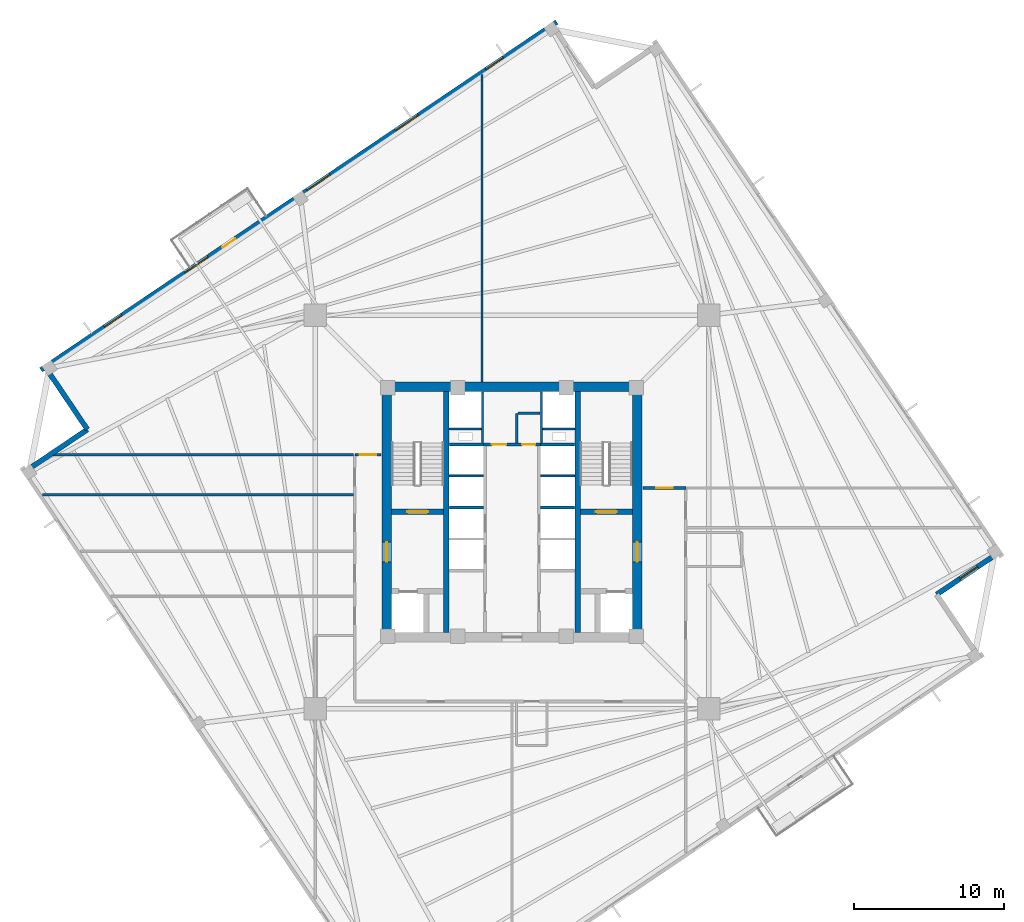
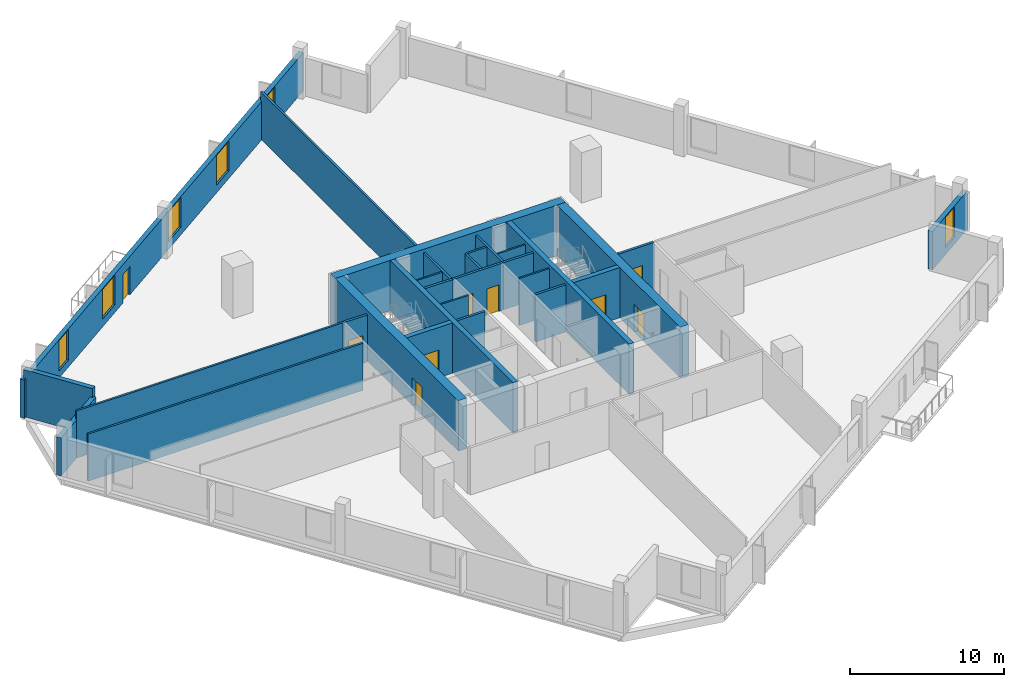
# One storey, part 4 of 8: 29 walls, 9 doors, 6 windows, 15 openings.
"""IFC4 building model written with IfcOpenShell, lengths in metres."""

from ifc_helpers import new_model, si_unit, direction, frame, frame_2d, origin, place, context, subcontext, project, spatial, rectangle, extrude, source, transform, mapped, material, layer, layer_set, type_object, element, fill, save


model = new_model("IFC4")

# Units and contexts
model_context = context("Model", 3, precision=1e-05, world=origin(), true_north=direction((0.0, 1.0)))
body_context = subcontext(model_context, "Body", "Model", "MODEL_VIEW")
ifc_project = project(units=[si_unit("LENGTHUNIT", "METRE"), si_unit("AREAUNIT", "SQUARE_METRE"), si_unit("VOLUMEUNIT", "CUBIC_METRE"), si_unit("PLANEANGLEUNIT", "RADIAN"), si_unit("MASSUNIT", "GRAM", prefix="KILO"), si_unit("THERMODYNAMICTEMPERATUREUNIT", "KELVIN")], contexts=[model_context])

# Site, building, storey
site_placement = place(None, origin())
site = spatial("IfcSite", under=ifc_project, at=site_placement, CompositionType="ELEMENT")
building_placement = place(site_placement, origin())
building = spatial("IfcBuilding", under=site, at=building_placement, Name="Kosmvard Interchange Tower", CompositionType="ELEMENT")
storey_placement = place(building_placement, frame((0.0, 0.0, 184.39990234375)))
storey = spatial("IfcBuildingStorey", under=building, at=storey_placement, Name="L44", CompositionType="ELEMENT", Elevation=184.39990234375)

# Walls
ifc_material_1 = material(Name="Acoustic gypsum partition system")
ifc_layer_1 = layer(ifc_material_1, 0.14990234375, Name="Acoustic gypsum partition system")
ifc_layer_set_1 = layer_set([ifc_layer_1], Name="Acoustic gypsum partition system")
wall_type_1 = type_object("IfcWallType", Name="Acoustic Suite & Meeting Partition 150", PredefinedType="PARTITIONING", material=ifc_layer_set_1)
wall_1_placement = place(storey_placement, frame((-2.0, 8.655029296875, 0.0), z_axis=(0.0, 0.0, 1.0), x_axis=(0.0, 1.0, 0.0)))
element("IfcWall", 1, at=wall_1_placement, inside=storey, type_object=wall_type_1, Name="L44 Room Partition 01.1", PredefinedType="PARTITIONING", context=body_context, shape_type="SweptSolid", body=[
    extrude(rectangle(XDim=20.4228515625, YDim=0.14990234375, at=frame_2d((10.21142578125, 0.0))), origin(), (0.0, 0.0, 1.0), 3.739990234375),
])
wall_2_placement = place(storey_placement, frame((-31.20263671875, 1.14990234375, 0.0), z_axis=(0.0, 0.0, 1.0), x_axis=(1.0, 0.0, 0.0)))
element("IfcWall", 2, at=wall_2_placement, inside=storey, type_object=wall_type_1, Name="L44 Room Partition 02.1", PredefinedType="PARTITIONING", context=body_context, shape_type="SweptSolid", body=[
    extrude(rectangle(XDim=20.65771484375, YDim=0.14990234375, at=frame_2d((10.328857421875, 0.0))), origin(), (0.0, 0.0, 1.0), 3.739990234375),
])
wall_3_placement = place(storey_placement, frame((-30.534423828125, 3.800048828125, 0.0), z_axis=(0.0, 0.0, 1.0), x_axis=(1.0, 0.0, 0.0)))
element("IfcWall", 3, at=wall_3_placement, inside=storey, type_object=wall_type_1, Name="L44 Room Partition 03.1", PredefinedType="PARTITIONING", context=body_context, shape_type="SweptSolid", body=[
    extrude(rectangle(XDim=19.989501953125, YDim=0.14990234375, at=frame_2d((9.99462890625, 0.0))), origin(), (0.0, 0.0, 1.0), 3.739990234375),
])
ifc_material_2 = material(Name="Fire-rated gypsum partition system")
ifc_layer_2 = layer(ifc_material_2, 0.159912109375, Name="Fire-rated gypsum partition system")
ifc_layer_set_2 = layer_set([ifc_layer_2], Name="Fire-rated gypsum partition system")
wall_type_2 = type_object("IfcWallType", Name="Core Compartment & Shuttle Lobby Partition 160", PredefinedType="PARTITIONING", material=ifc_layer_set_2)
for number, where, z_axis, x_axis, name in (
    (4, (-1.9599609375, 4.580078125, 0.0), (0.0, 0.0, 1.0), (0.0, 1.0, 0.0), "L44 North Core West Wall"),
    (5, (1.9599609375, 4.580078125, 0.0), (0.0, 0.0, 1.0), (0.0, 1.0, 0.0), "L44 North Core East Wall"),
):
    element("IfcWall", number, at=place(storey_placement, frame(where, z_axis=z_axis, x_axis=x_axis)), inside=storey, type_object=wall_type_2, Name=name, PredefinedType="PARTITIONING", context=body_context, shape_type="SweptSolid", body=[
        extrude(rectangle(XDim=3.39990234375, YDim=0.159912109375, at=frame_2d((1.699951171875, 0.0))), origin(), (0.0, 0.0, 1.0), 3.739990234375),
    ])
ifc_material_3 = material(Name="Concrete blockwork masonry", Category="masonry")
ifc_layer_3 = layer(ifc_material_3, 0.159912109375, Name="Concrete blockwork masonry")
ifc_layer_set_3 = layer_set([ifc_layer_3], Name="Concrete blockwork masonry")
wall_type_3 = type_object("IfcWallType", Name="Core Enclosure Split Wall 160", PredefinedType="PARTITIONING", material=ifc_layer_set_3)
wall_4_placement = place(storey_placement, frame((0.320068359375, 4.60009765625, 0.0), z_axis=(0.0, 0.0, 1.0), x_axis=(0.0, 1.0, 0.0)))
element("IfcWall", 6, at=wall_4_placement, inside=storey, type_object=wall_type_3, Name="L44 Core K3 L-Wall 1", PredefinedType="PARTITIONING", context=body_context, shape_type="SweptSolid", body=[
    extrude(rectangle(XDim=1.949951171875, YDim=0.159912109375, at=frame_2d((0.97509765625, 0.0))), origin(), (0.0, 0.0, 1.0), 3.739990234375),
])
wall_5_placement = place(storey_placement, frame((0.39990234375, 6.550048828125, 0.0), z_axis=(0.0, 0.0, 1.0), x_axis=(1.0, 0.0, 0.0)))
element("IfcWall", 7, at=wall_5_placement, inside=storey, type_object=wall_type_3, Name="L44 Core K3 L-Wall 2", PredefinedType="PARTITIONING", context=body_context, shape_type="SweptSolid", body=[
    extrude(rectangle(XDim=1.460205078125, YDim=0.159912109375, at=frame_2d((0.72998046875, 0.0))), origin(), (0.0, 0.0, 1.0), 3.739990234375),
])

# Wall, openings, doors
ifc_layer_4 = layer(ifc_material_2, 0.179931640625, Name="Fire-rated gypsum partition system")
ifc_layer_set_4 = layer_set([ifc_layer_4], Name="Fire-rated gypsum partition system")
wall_type_4 = type_object("IfcWallType", Name="Corridor & Hotel Compartment Partition 180", PredefinedType="PARTITIONING", material=ifc_layer_set_4)
wall_6_placement = place(storey_placement, frame((-1.8798828125, 4.489990234375, 0.0), z_axis=(0.0, 0.0, 1.0), x_axis=(1.0, 0.0, 0.0)))
wall_6 = element("IfcWall", 8, at=wall_6_placement, inside=storey, type_object=wall_type_4, Name="L44 Lift Lobby North Partition", PredefinedType="PARTITIONING", context=body_context, shape_type="SweptSolid", body=[
    extrude(rectangle(XDim=3.759765625, YDim=0.179931640625, at=frame_2d((1.8798828125, 0.0))), origin(), (0.0, 0.0, 1.0), 3.739990234375),
])
opening_1_placement = place(wall_6_placement, frame((0.550048828125, 0.0, 0.0)))
opening_1 = element("IfcOpeningElement", 9, at=opening_1_placement, cuts=wall_6, Name="Opening L44-KD1", PredefinedType="OPENING", context=body_context, shape_type="SweptSolid", body=[
    extrude(rectangle(XDim=0.949951171875, YDim=2.10009765625, at=frame_2d((0.47509765625, 1.050048828125))), frame((0.0, 0.10009765625, 0.0), z_axis=(0.0, -1.0, 0.0), x_axis=(1.0, 0.0, 0.0)), (0.0, 0.0, 1.0), 0.199951171875),
])
opening_2_placement = place(wall_6_placement, frame((2.56005859375, 0.0, 0.0)))
opening_2 = element("IfcOpeningElement", 10, at=opening_2_placement, cuts=wall_6, Name="Opening L44-KD2", PredefinedType="OPENING", context=body_context, shape_type="SweptSolid", body=[
    extrude(rectangle(XDim=0.8798828125, YDim=2.10009765625, at=frame_2d((0.43994140625, 1.050048828125))), frame((0.0, 0.10009765625, 0.0), z_axis=(0.0, -1.0, 0.0), x_axis=(1.0, 0.0, 0.0)), (0.0, 0.0, 1.0), 0.199951171875),
])
ifc_material_4 = material(Name="Painted fire-rated timber leaf", Category="wood")
door_type_1 = type_object("IfcDoorType", Name="Core Service Fire Door 950x2100 EI30", OperationType="NOTDEFINED", PredefinedType="DOOR", material=ifc_material_4)
shared_shape_1 = source(origin(), body_context, "Body", "SweptSolid", [
    extrude(rectangle(XDim=0.949951171875, YDim=2.10009765625, at=frame_2d((0.47509765625, 1.050048828125))), frame((0.0, 0.02490234375, 0.0), z_axis=(0.0, -1.0, 0.0), x_axis=(1.0, 0.0, 0.0)), (0.0, 0.0, 1.0), 0.050048828125),
])
door_1_placement = place(opening_1_placement, origin())
door_1 = element("IfcDoor", 11, at=door_1_placement, inside=storey, type_object=door_type_1, Name="L44 Core Archive Store Door", OperationType="SINGLE_SWING_LEFT", OverallHeight=2.10009765625, OverallWidth=0.949951171875, PredefinedType="DOOR", context=body_context, shape_type="MappedRepresentation", body=[
    mapped(shared_shape_1, transform((0.0, 0.0, 0.0), scale=1.0)),
])
fill(opening_1, door_1)
door_type_2 = type_object("IfcDoorType", Name="Core Cupboard Fire Door 880x2100 EI30", OperationType="NOTDEFINED", PredefinedType="DOOR", material=ifc_material_4)
shared_shape_2 = source(origin(), body_context, "Body", "SweptSolid", [
    extrude(rectangle(XDim=0.8798828125, YDim=2.10009765625, at=frame_2d((0.43994140625, 1.050048828125))), frame((0.0, 0.02490234375, 0.0), z_axis=(0.0, -1.0, 0.0), x_axis=(1.0, 0.0, 0.0)), (0.0, 0.0, 1.0), 0.050048828125),
])
door_2_placement = place(opening_2_placement, origin())
door_2 = element("IfcDoor", 12, at=door_2_placement, inside=storey, type_object=door_type_2, Name="L44 Core Supplies Cupboard Door", OperationType="SINGLE_SWING_RIGHT", OverallHeight=2.10009765625, OverallWidth=0.8798828125, PredefinedType="DOOR", context=body_context, shape_type="MappedRepresentation", body=[
    mapped(shared_shape_2, transform((0.0, 0.0, 0.0), scale=1.0)),
])
fill(opening_2, door_2)

# Wall, opening, door
wall_7_placement = place(storey_placement, frame((-10.449951171875, 3.800048828125, 0.0), z_axis=(0.0, 0.0, 1.0), x_axis=(1.0, 0.0, 0.0)))
wall_7 = element("IfcWall", 13, at=wall_7_placement, inside=storey, type_object=wall_type_4, Name="L44 Corridor Wall CNW", PredefinedType="PARTITIONING", context=body_context, shape_type="SweptSolid", body=[
    extrude(rectangle(XDim=1.75, YDim=0.179931640625, at=frame_2d((0.875, 0.0))), origin(), (0.0, 0.0, 1.0), 3.739990234375),
])
opening_3_placement = place(wall_7_placement, frame((0.324951171875, 0.0, 0.0)))
opening_3 = element("IfcOpeningElement", 14, at=opening_3_placement, cuts=wall_7, Name="Opening L44-D04", PredefinedType="OPENING", context=body_context, shape_type="SweptSolid", body=[
    extrude(rectangle(XDim=1.10009765625, YDim=2.199951171875, at=frame_2d((0.550048828125, 1.10009765625))), frame((0.0, 0.10009765625, 0.0), z_axis=(0.0, -1.0, 0.0), x_axis=(1.0, 0.0, 0.0)), (0.0, 0.0, 1.0), 0.199951171875),
])
ifc_material_5 = material(Name="Engineered oak fire-rated timber", Category="wood")
door_type_3 = type_object("IfcDoorType", Name="Office Suite Entrance Door 1100x2200 FD30S", OperationType="NOTDEFINED", PredefinedType="DOOR", material=ifc_material_5)
shared_shape_3 = source(origin(), body_context, "Body", "SweptSolid", [
    extrude(rectangle(XDim=1.10009765625, YDim=2.199951171875, at=frame_2d((0.550048828125, 1.10009765625))), frame((0.0, 0.02490234375, 0.0), z_axis=(0.0, -1.0, 0.0), x_axis=(1.0, 0.0, 0.0)), (0.0, 0.0, 1.0), 0.050048828125),
])
door_3_placement = place(opening_3_placement, origin())
door_3 = element("IfcDoor", 15, at=door_3_placement, inside=storey, type_object=door_type_3, Name="L44 North-West Cyber Operations Workplace Door", OperationType="SINGLE_SWING_RIGHT", OverallHeight=2.199951171875, OverallWidth=1.10009765625, PredefinedType="DOOR", context=body_context, shape_type="MappedRepresentation", body=[
    mapped(shared_shape_3, transform((0.0, 0.0, 0.0), scale=1.0)),
])
fill(opening_3, door_3)

wall_8_placement = place(storey_placement, frame((8.699951171875, 1.60009765625, 0.0), z_axis=(0.0, 0.0, 1.0), x_axis=(1.0, 0.0, 0.0)))
wall_8 = element("IfcWall", 16, at=wall_8_placement, inside=storey, type_object=wall_type_4, Name="L44 Corridor Wall CNE", PredefinedType="PARTITIONING", context=body_context, shape_type="SweptSolid", body=[
    extrude(rectangle(XDim=2.85009765625, YDim=0.179931640625, at=frame_2d((1.425048828125, 0.0))), origin(), (0.0, 0.0, 1.0), 3.739990234375),
])
opening_4_placement = place(wall_8_placement, frame((0.875, 0.0, 0.0)))
opening_4 = element("IfcOpeningElement", 17, at=opening_4_placement, cuts=wall_8, Name="Opening L44-D05", PredefinedType="OPENING", context=body_context, shape_type="SweptSolid", body=[
    extrude(rectangle(XDim=1.10009765625, YDim=2.199951171875, at=frame_2d((0.550048828125, 1.10009765625))), frame((0.0, 0.10009765625, 0.0), z_axis=(0.0, -1.0, 0.0), x_axis=(1.0, 0.0, 0.0)), (0.0, 0.0, 1.0), 0.199951171875),
])
door_4_placement = place(opening_4_placement, origin())
door_4 = element("IfcDoor", 18, at=door_4_placement, inside=storey, type_object=door_type_3, Name="L44 North-East Cloud Systems Workplace Door", OperationType="SINGLE_SWING_LEFT", OverallHeight=2.199951171875, OverallWidth=1.10009765625, PredefinedType="DOOR", context=body_context, shape_type="MappedRepresentation", body=[
    mapped(shared_shape_3, transform((0.0, 0.0, 0.0), scale=1.0)),
])
fill(opening_4, door_4)

# Wall
ifc_material_6 = material(Name="Concrete C70/85", Category="concrete")
ifc_layer_5 = layer(ifc_material_6, 0.64990234375, Name="Concrete C70/85")
ifc_layer_set_5 = layer_set([ifc_layer_5], Name="Concrete C70/85")
wall_type_5 = type_object("IfcWallType", Name="Mid Core Shear Wall 650 C70/85", PredefinedType="SHEAR", material=ifc_layer_set_5)
wall_9_placement = place(storey_placement, frame((-8.64990234375, 8.324951171875, 0.0), z_axis=(0.0, 0.0, 1.0), x_axis=(1.0, 0.0, 0.0)))
element("IfcWall", 19, at=wall_9_placement, inside=storey, type_object=wall_type_5, Name="L44 Core Shear Wall CW-N", PredefinedType="SHEAR", context=body_context, shape_type="SweptSolid", body=[
    extrude(rectangle(XDim=17.2998046875, YDim=0.64990234375, at=frame_2d((8.64990234375, 0.0))), origin(), (0.0, 0.0, 1.0), 4.0),
])

# Wall, opening, door
wall_10_placement = place(storey_placement, frame((-8.324951171875, -8.0, 0.0), z_axis=(0.0, 0.0, 1.0), x_axis=(0.0, 1.0, 0.0)))
wall_10 = element("IfcWall", 20, at=wall_10_placement, inside=storey, type_object=wall_type_5, Name="L44 Core Shear Wall CW-W", PredefinedType="SHEAR", context=body_context, shape_type="SweptSolid", body=[
    extrude(rectangle(XDim=16.0, YDim=0.64990234375, at=frame_2d((8.0, 0.0))), origin(), (0.0, 0.0, 1.0), 4.0),
])
opening_5_placement = place(wall_10_placement, frame((4.68994140625, 0.0, 0.0)))
opening_5 = element("IfcOpeningElement", 21, at=opening_5_placement, cuts=wall_10, Name="Opening L44-FD1", PredefinedType="OPENING", context=body_context, shape_type="SweptSolid", body=[
    extrude(rectangle(XDim=1.300048828125, YDim=2.199951171875, at=frame_2d((0.64990234375, 1.10009765625))), frame((0.0, 0.3349609375, 0.0), z_axis=(0.0, -1.0, 0.0), x_axis=(1.0, 0.0, 0.0)), (0.0, 0.0, 1.0), 0.669921875),
])
ifc_material_7 = material(Name="Painted fire-rated steel leaf", Category="steel")
door_type_4 = type_object("IfcDoorType", Name="Firefighting Lobby Door 1300x2200 EI60", OperationType="NOTDEFINED", PredefinedType="DOOR", material=ifc_material_7)
shared_shape_4 = source(origin(), body_context, "Body", "SweptSolid", [
    extrude(rectangle(XDim=1.300048828125, YDim=2.199951171875, at=frame_2d((0.64990234375, 1.10009765625))), frame((0.0, 0.02490234375, 0.0), z_axis=(0.0, -1.0, 0.0), x_axis=(1.0, 0.0, 0.0)), (0.0, 0.0, 1.0), 0.050048828125),
])
door_5_placement = place(opening_5_placement, frame((1.300048828125, 0.0, 0.0), z_axis=(0.0, 0.0, 1.0), x_axis=(-1.0, 0.0, 0.0)))
door_5 = element("IfcDoor", 22, at=door_5_placement, inside=storey, type_object=door_type_4, Name="L44 Firefighting Lobby West Door", OperationType="SINGLE_SWING_LEFT", OverallHeight=2.199951171875, OverallWidth=1.300048828125, PredefinedType="DOOR", context=body_context, shape_type="MappedRepresentation", body=[
    mapped(shared_shape_4, transform((0.0, 0.0, 0.0), scale=1.0)),
])
fill(opening_5, door_5)

wall_11_placement = place(storey_placement, frame((8.324951171875, -8.0, 0.0), z_axis=(0.0, 0.0, 1.0), x_axis=(0.0, 1.0, 0.0)))
wall_11 = element("IfcWall", 23, at=wall_11_placement, inside=storey, type_object=wall_type_5, Name="L44 Core Shear Wall CW-E", PredefinedType="SHEAR", context=body_context, shape_type="SweptSolid", body=[
    extrude(rectangle(XDim=16.0, YDim=0.64990234375, at=frame_2d((8.0, 0.0))), origin(), (0.0, 0.0, 1.0), 4.0),
])
opening_6_placement = place(wall_11_placement, frame((4.68994140625, 0.0, 0.0)))
opening_6 = element("IfcOpeningElement", 24, at=opening_6_placement, cuts=wall_11, Name="Opening L44-FD2", PredefinedType="OPENING", context=body_context, shape_type="SweptSolid", body=[
    extrude(rectangle(XDim=1.300048828125, YDim=2.199951171875, at=frame_2d((0.64990234375, 1.10009765625))), frame((0.0, 0.3349609375, 0.0), z_axis=(0.0, -1.0, 0.0), x_axis=(1.0, 0.0, 0.0)), (0.0, 0.0, 1.0), 0.669921875),
])
door_6_placement = place(opening_6_placement, origin())
door_6 = element("IfcDoor", 25, at=door_6_placement, inside=storey, type_object=door_type_4, Name="L44 Firefighting Lobby East Door", OperationType="SINGLE_SWING_RIGHT", OverallHeight=2.199951171875, OverallWidth=1.300048828125, PredefinedType="DOOR", context=body_context, shape_type="MappedRepresentation", body=[
    mapped(shared_shape_4, transform((0.0, 0.0, 0.0), scale=1.0)),
])
fill(opening_6, door_6)

# Wall, opening, window
ifc_material_8 = material(Name="Precast concrete C45/55", Category="concrete")
ifc_layer_6 = layer(ifc_material_8, 0.340087890625, Name="Precast concrete C45/55")
ifc_layer_set_6 = layer_set([ifc_layer_6], Name="Precast concrete C45/55")
wall_type_6 = type_object("IfcWallType", Name="Mid Tower Precast Pier Wall 340 C45/55", PredefinedType="STANDARD", material=ifc_layer_set_6)
wall_12_placement = place(storey_placement, frame((28.22265625, -5.48583984375, 0.0), z_axis=(0.0, 0.0, 1.0), x_axis=(0.82905227345, 0.559171107879, 0.0)))
wall_12 = element("IfcWall", 26, at=wall_12_placement, inside=storey, type_object=wall_type_6, Name="L44 Precast Facade Wall N-SE2", PredefinedType="STANDARD", context=body_context, shape_type="SweptSolid", body=[
    extrude(rectangle(XDim=5.169921875, YDim=0.340087890625, at=frame_2d((2.5849609375, 0.0))), origin(), (0.0, 0.0, 1.0), 3.0400390625),
])
opening_7_placement = place(wall_12_placement, frame((1.885009765625, 0.0, 0.56005859375)))
opening_7 = element("IfcOpeningElement", 27, at=opening_7_placement, cuts=wall_12, Name="Opening L44-W21", PredefinedType="OPENING", context=body_context, shape_type="SweptSolid", body=[
    extrude(rectangle(XDim=1.39990234375, YDim=2.39990234375, at=frame_2d((0.699951171875, 1.199951171875))), frame((0.0, 0.18017578125, 0.0), z_axis=(0.0, -1.0, 0.0), x_axis=(1.0, 0.0, 0.0)), (0.0, 0.0, 1.0), 0.360107421875),
])
ifc_material_9 = material(Name="Low-E solar-control double glazing", Category="glass")
window_type_1 = type_object("IfcWindowType", Name="Notched Corner Feature Window 1400x2400", PartitioningType="SINGLE_PANEL", PredefinedType="WINDOW", material=ifc_material_9)
shared_shape_5 = source(origin(), body_context, "Body", "SweptSolid", [
    extrude(rectangle(XDim=1.39990234375, YDim=2.39990234375, at=frame_2d((0.699951171875, 1.199951171875))), frame((0.0, 0.030029296875, 0.0), z_axis=(0.0, -1.0, 0.0), x_axis=(1.0, 0.0, 0.0)), (0.0, 0.0, 1.0), 0.06005859375),
])
window_1_placement = place(opening_7_placement, origin())
window_1 = element("IfcWindow", 28, at=window_1_placement, inside=storey, type_object=window_type_1, Name="L44 Corner Notch Window 21", OverallHeight=2.39990234375, OverallWidth=1.39990234375, PartitioningType="SINGLE_PANEL", PredefinedType="WINDOW", context=body_context, shape_type="MappedRepresentation", body=[
    mapped(shared_shape_5, transform((0.0, 0.0, 0.0), scale=1.0)),
])
fill(opening_7, window_1)

# Wall, openings, door, windows
wall_13_placement = place(storey_placement, frame((2.971923828125, 32.55810546875, 0.0), z_axis=(0.0, 0.0, 1.0), x_axis=(-0.829036218961, -0.559194910251, 0.0)))
wall_13 = element("IfcWall", 29, at=wall_13_placement, inside=storey, type_object=wall_type_6, Name="L44 Precast Facade Wall F-N", PredefinedType="STANDARD", context=body_context, shape_type="SweptSolid", body=[
    extrude(rectangle(XDim=41.340087890625, YDim=0.340087890625, at=frame_2d((20.669921875, 0.0))), origin(), (0.0, 0.0, 1.0), 3.0400390625),
])
opening_8_placement = place(wall_13_placement, frame((25.7451171875, 0.0, 0.0)))
opening_8 = element("IfcOpeningElement", 30, at=opening_8_placement, cuts=wall_13, Name="Opening L44-BDE", PredefinedType="OPENING", context=body_context, shape_type="SweptSolid", body=[
    extrude(rectangle(XDim=1.050048828125, YDim=2.25, at=frame_2d((0.52490234375, 1.125))), frame((0.0, 0.18017578125, 0.0), z_axis=(0.0, -1.0, 0.0), x_axis=(1.0, 0.0, 0.0)), (0.0, 0.0, 1.0), 0.360107421875),
])
opening_9_placement = place(wall_13_placement, frame((4.2607421875, 0.0, 0.56005859375)))
opening_9 = element("IfcOpeningElement", 31, at=opening_9_placement, cuts=wall_13, Name="Opening L44-W11", PredefinedType="OPENING", context=body_context, shape_type="SweptSolid", body=[
    extrude(rectangle(XDim=1.39990234375, YDim=2.39990234375, at=frame_2d((0.699951171875, 1.199951171875))), frame((0.0, 0.18017578125, 0.0), z_axis=(0.0, -1.0, 0.0), x_axis=(1.0, 0.0, 0.0)), (0.0, 0.0, 1.0), 0.360107421875),
])
opening_10_placement = place(wall_13_placement, frame((11.063720703125, 0.0, 0.610107421875)))
opening_10 = element("IfcOpeningElement", 32, at=opening_10_placement, cuts=wall_13, Name="Opening L44-W12", PredefinedType="OPENING", context=body_context, shape_type="SweptSolid", body=[
    extrude(rectangle(XDim=1.85009765625, YDim=2.35009765625, at=frame_2d((0.925048828125, 1.175048828125))), frame((0.0, 0.18017578125, 0.0), z_axis=(0.0, -1.0, 0.0), x_axis=(1.0, 0.0, 0.0)), (0.0, 0.0, 1.0), 0.360107421875),
])
opening_11_placement = place(wall_13_placement, frame((18.168212890625, 0.0, 0.610107421875)))
opening_11 = element("IfcOpeningElement", 33, at=opening_11_placement, cuts=wall_13, Name="Opening L44-W13", PredefinedType="OPENING", context=body_context, shape_type="SweptSolid", body=[
    extrude(rectangle(XDim=1.85009765625, YDim=2.35009765625, at=frame_2d((0.925048828125, 1.175048828125))), frame((0.0, 0.18017578125, 0.0), z_axis=(0.0, -1.0, 0.0), x_axis=(1.0, 0.0, 0.0)), (0.0, 0.0, 1.0), 0.360107421875),
])
opening_12_placement = place(wall_13_placement, frame((27.936279296875, 0.0, 0.610107421875)))
opening_12 = element("IfcOpeningElement", 34, at=opening_12_placement, cuts=wall_13, Name="Opening L44-W14", PredefinedType="OPENING", context=body_context, shape_type="SweptSolid", body=[
    extrude(rectangle(XDim=1.85009765625, YDim=2.35009765625, at=frame_2d((0.925048828125, 1.175048828125))), frame((0.0, 0.18017578125, 0.0), z_axis=(0.0, -1.0, 0.0), x_axis=(1.0, 0.0, 0.0)), (0.0, 0.0, 1.0), 0.360107421875),
])
opening_13_placement = place(wall_13_placement, frame((34.852294921875, 0.0, 0.56005859375)))
opening_13 = element("IfcOpeningElement", 35, at=opening_13_placement, cuts=wall_13, Name="Opening L44-W15", PredefinedType="OPENING", context=body_context, shape_type="SweptSolid", body=[
    extrude(rectangle(XDim=1.39990234375, YDim=2.39990234375, at=frame_2d((0.699951171875, 1.199951171875))), frame((0.0, 0.18017578125, 0.0), z_axis=(0.0, -1.0, 0.0), x_axis=(1.0, 0.0, 0.0)), (0.0, 0.0, 1.0), 0.360107421875),
])
ifc_material_10 = material(Name="Anodised aluminium and safety glass", Category="aluminium")
door_type_5 = type_object("IfcDoorType", Name="Tree-Balcony Glazed Door 1050x2250", OperationType="NOTDEFINED", PredefinedType="DOOR", material=ifc_material_10)
shared_shape_6 = source(origin(), body_context, "Body", "SweptSolid", [
    extrude(rectangle(XDim=1.050048828125, YDim=2.25, at=frame_2d((0.52490234375, 1.125))), frame((0.0, 0.02490234375, 0.0), z_axis=(0.0, -1.0, 0.0), x_axis=(1.0, 0.0, 0.0)), (0.0, 0.0, 1.0), 0.050048828125),
])
door_7_placement = place(opening_8_placement, origin())
door_7 = element("IfcDoor", 36, at=door_7_placement, inside=storey, type_object=door_type_5, Name="L44 Tree-Balcony Door BAL-L44-NE", OperationType="SINGLE_SWING_LEFT", OverallHeight=2.25, OverallWidth=1.050048828125, PredefinedType="DOOR", context=body_context, shape_type="MappedRepresentation", body=[
    mapped(shared_shape_6, transform((0.0, 0.0, 0.0), scale=1.0)),
])
fill(opening_8, door_7)
window_2_placement = place(opening_9_placement, origin())
window_2 = element("IfcWindow", 37, at=window_2_placement, inside=storey, type_object=window_type_1, Name="L44 Facade Punched Window 11", OverallHeight=2.39990234375, OverallWidth=1.39990234375, PartitioningType="SINGLE_PANEL", PredefinedType="WINDOW", context=body_context, shape_type="MappedRepresentation", body=[
    mapped(shared_shape_5, transform((0.0, 0.0, 0.0), scale=1.0)),
])
fill(opening_9, window_2)
window_3_placement = place(opening_13_placement, origin())
window_3 = element("IfcWindow", 38, at=window_3_placement, inside=storey, type_object=window_type_1, Name="L44 Facade Punched Window 15", OverallHeight=2.39990234375, OverallWidth=1.39990234375, PartitioningType="SINGLE_PANEL", PredefinedType="WINDOW", context=body_context, shape_type="MappedRepresentation", body=[
    mapped(shared_shape_5, transform((0.0, 0.0, 0.0), scale=1.0)),
])
fill(opening_13, window_3)
window_type_2 = type_object("IfcWindowType", Name="Zone 3 Office Punched Window 1850x2350", PartitioningType="SINGLE_PANEL", PredefinedType="WINDOW", material=ifc_material_9)
shared_shape_7 = source(origin(), body_context, "Body", "SweptSolid", [
    extrude(rectangle(XDim=1.85009765625, YDim=2.35009765625, at=frame_2d((0.925048828125, 1.175048828125))), frame((0.0, 0.030029296875, 0.0), z_axis=(0.0, -1.0, 0.0), x_axis=(1.0, 0.0, 0.0)), (0.0, 0.0, 1.0), 0.06005859375),
])
window_4_placement = place(opening_10_placement, origin())
window_4 = element("IfcWindow", 39, at=window_4_placement, inside=storey, type_object=window_type_2, Name="L44 Facade Punched Window 12", OverallHeight=2.35009765625, OverallWidth=1.85009765625, PartitioningType="SINGLE_PANEL", PredefinedType="WINDOW", context=body_context, shape_type="MappedRepresentation", body=[
    mapped(shared_shape_7, transform((0.0, 0.0, 0.0), scale=1.0)),
])
fill(opening_10, window_4)
window_5_placement = place(opening_11_placement, origin())
window_5 = element("IfcWindow", 40, at=window_5_placement, inside=storey, type_object=window_type_2, Name="L44 Facade Punched Window 13", OverallHeight=2.35009765625, OverallWidth=1.85009765625, PartitioningType="SINGLE_PANEL", PredefinedType="WINDOW", context=body_context, shape_type="MappedRepresentation", body=[
    mapped(shared_shape_7, transform((0.0, 0.0, 0.0), scale=1.0)),
])
fill(opening_11, window_5)
window_6_placement = place(opening_12_placement, origin())
window_6 = element("IfcWindow", 41, at=window_6_placement, inside=storey, type_object=window_type_2, Name="L44 Facade Punched Window 14", OverallHeight=2.35009765625, OverallWidth=1.85009765625, PartitioningType="SINGLE_PANEL", PredefinedType="WINDOW", context=body_context, shape_type="MappedRepresentation", body=[
    mapped(shared_shape_7, transform((0.0, 0.0, 0.0), scale=1.0)),
])
fill(opening_12, window_6)

# Walls
wall_14_placement = place(storey_placement, frame((-31.018798828125, 9.631103515625, 0.0), z_axis=(0.0, 0.0, 1.0), x_axis=(0.559210350234, -0.829025804298, 0.0)))
element("IfcWall", 42, at=wall_14_placement, inside=storey, type_object=wall_type_6, Name="L44 Precast Facade Wall N-NW1", PredefinedType="STANDARD", context=body_context, shape_type="SweptSolid", body=[
    extrude(rectangle(XDim=5.000244140625, YDim=0.340087890625, at=frame_2d((2.5, 0.0))), origin(), (0.0, 0.0, 1.0), 3.739990234375),
])
wall_15_placement = place(storey_placement, frame((-28.22265625, 5.48583984375, 0.0), z_axis=(0.0, 0.0, 1.0), x_axis=(-0.82905227345, -0.559171107879, 0.0)))
element("IfcWall", 43, at=wall_15_placement, inside=storey, type_object=wall_type_6, Name="L44 Precast Facade Wall N-NW2", PredefinedType="STANDARD", context=body_context, shape_type="SweptSolid", body=[
    extrude(rectangle(XDim=5.169921875, YDim=0.340087890625, at=frame_2d((2.5849609375, 0.0))), origin(), (0.0, 0.0, 1.0), 3.0400390625),
])
ifc_layer_7 = layer(ifc_material_3, 0.179931640625, Name="Concrete blockwork masonry")
ifc_layer_set_7 = layer_set([ifc_layer_7], Name="Concrete blockwork masonry")
wall_type_7 = type_object("IfcWallType", Name="Riser & Lift Bank Divider Wall 180", PredefinedType="PARTITIONING", material=ifc_layer_set_7)
for number, where, z_axis, x_axis, name in (
    (44, (-4.169921875, 0.300048828125, 0.0), (0.0, 0.0, 1.0), (1.0, 0.0, 0.0), "L44 West Bank Divider BD2"),
    (45, (1.889892578125, 0.300048828125, 0.0), (0.0, 0.0, 1.0), (1.0, 0.0, 0.0), "L44 East Bank Divider BD2"),
    (46, (-4.169921875, 4.489990234375, 0.0), (0.0, 0.0, 1.0), (1.0, 0.0, 0.0), "L44 West Bank Divider BD3"),
    (47, (1.889892578125, 4.489990234375, 0.0), (0.0, 0.0, 1.0), (1.0, 0.0, 0.0), "L44 East Bank Divider BD3"),
):
    element("IfcWall", number, at=place(storey_placement, frame(where, z_axis=z_axis, x_axis=x_axis)), inside=storey, type_object=wall_type_7, Name=name, PredefinedType="PARTITIONING", context=body_context, shape_type="SweptSolid", body=[
        extrude(rectangle(XDim=2.280029296875, YDim=0.179931640625, at=frame_2d((1.14013671875, 0.0))), origin(), (0.0, 0.0, 1.0), 3.739990234375),
    ])
ifc_material_11 = material(Name="Fire-rated gypsum shaftwall system")
ifc_layer_8 = layer(ifc_material_11, 0.1201171875, Name="Fire-rated gypsum shaftwall system")
ifc_layer_set_8 = layer_set([ifc_layer_8], Name="Fire-rated gypsum shaftwall system")
wall_type_8 = type_object("IfcWallType", Name="Shaft & Riser Fire Partition 120 EI60", PredefinedType="PARTITIONING", material=ifc_layer_set_8)
for number, where, z_axis, x_axis, name in (
    (48, (-4.159912109375, 2.39990234375, 0.0), (0.0, 0.0, 1.0), (1.0, 0.0, 0.0), "L44 Shaft Divider PL-H1"),
    (49, (1.89990234375, 2.39990234375, 0.0), (0.0, 0.0, 1.0), (1.0, 0.0, 0.0), "L44 Shaft Divider PL-H3"),
):
    element("IfcWall", number, at=place(storey_placement, frame(where, z_axis=z_axis, x_axis=x_axis)), inside=storey, type_object=wall_type_8, Name=name, PredefinedType="PARTITIONING", context=body_context, shape_type="SweptSolid", body=[
        extrude(rectangle(XDim=2.260009765625, YDim=0.1201171875, at=frame_2d((1.1298828125, 0.0))), origin(), (0.0, 0.0, 1.0), 3.739990234375),
    ])
for number, where, z_axis, x_axis, name in (
    (50, (-4.159912109375, 5.52001953125, 0.0), (0.0, 0.0, 1.0), (1.0, 0.0, 0.0), "L44 Riser Shaft Divider W"),
    (51, (2.06005859375, 5.52001953125, 0.0), (0.0, 0.0, 1.0), (1.0, 0.0, 0.0), "L44 Riser Shaft Divider E"),
):
    element("IfcWall", number, at=place(storey_placement, frame(where, z_axis=z_axis, x_axis=x_axis)), inside=storey, type_object=wall_type_8, Name=name, PredefinedType="PARTITIONING", context=body_context, shape_type="SweptSolid", body=[
        extrude(rectangle(XDim=2.099853515625, YDim=0.1201171875, at=frame_2d((1.0498046875, 0.0))), origin(), (0.0, 0.0, 1.0), 3.739990234375),
    ])
ifc_material_12 = material(Name="Concrete C60/75", Category="concrete")
ifc_layer_9 = layer(ifc_material_12, 0.360107421875, Name="Concrete C60/75")
ifc_layer_set_9 = layer_set([ifc_layer_9], Name="Concrete C60/75")
wall_type_9 = type_object("IfcWallType", Name="Stair & Lift Shaft Shear Wall 360 C60/75", PredefinedType="SHEAR", material=ifc_layer_set_9)
for number, where, z_axis, x_axis, name in (
    (52, (-4.360107421875, -8.0, 0.0), (0.0, 0.0, 1.0), (0.0, 1.0, 0.0), "L44 Shaft Shear Wall SW-W"),
    (53, (4.360107421875, -8.0, 0.0), (0.0, 0.0, 1.0), (0.0, 1.0, 0.0), "L44 Shaft Shear Wall SW-E"),
):
    element("IfcWall", number, at=place(storey_placement, frame(where, z_axis=z_axis, x_axis=x_axis)), inside=storey, type_object=wall_type_9, Name=name, PredefinedType="SHEAR", context=body_context, shape_type="SweptSolid", body=[
        extrude(rectangle(XDim=16.0, YDim=0.360107421875, at=frame_2d((8.0, 0.0))), origin(), (0.0, 0.0, 1.0), 4.0),
    ])

# Wall, opening, door
wall_16_placement = place(storey_placement, frame((-8.0, 0.02001953125, 0.0), z_axis=(0.0, 0.0, 1.0), x_axis=(1.0, 0.0, 0.0)))
wall_16 = element("IfcWall", 54, at=wall_16_placement, inside=storey, type_object=wall_type_9, Name="L44 Shaft Shear Wall SW-ST1", PredefinedType="SHEAR", context=body_context, shape_type="SweptSolid", body=[
    extrude(rectangle(XDim=3.4599609375, YDim=0.360107421875, at=frame_2d((1.72998046875, 0.0))), origin(), (0.0, 0.0, 1.0), 4.0),
])
opening_14_placement = place(wall_16_placement, frame((1.030029296875, 0.0, 0.0)))
opening_14 = element("IfcOpeningElement", 55, at=opening_14_placement, cuts=wall_16, Name="Opening L44-SD1", PredefinedType="OPENING", context=body_context, shape_type="SweptSolid", body=[
    extrude(rectangle(XDim=1.39990234375, YDim=2.199951171875, at=frame_2d((0.699951171875, 1.10009765625))), frame((0.0, 0.18994140625, 0.0), z_axis=(0.0, -1.0, 0.0), x_axis=(1.0, 0.0, 0.0)), (0.0, 0.0, 1.0), 0.380126953125),
])
door_type_6 = type_object("IfcDoorType", Name="Protected Stair Door 1400x2200 FD60S", OperationType="NOTDEFINED", PredefinedType="DOOR", material=ifc_material_7)
shared_shape_8 = source(origin(), body_context, "Body", "SweptSolid", [
    extrude(rectangle(XDim=1.39990234375, YDim=2.199951171875, at=frame_2d((0.699951171875, 1.10009765625))), frame((0.0, 0.02490234375, 0.0), z_axis=(0.0, -1.0, 0.0), x_axis=(1.0, 0.0, 0.0)), (0.0, 0.0, 1.0), 0.050048828125),
])
door_8_placement = place(opening_14_placement, origin())
door_8 = element("IfcDoor", 56, at=door_8_placement, inside=storey, type_object=door_type_6, Name="L44 Stair ST-1 Enclosure Door", OperationType="SINGLE_SWING_LEFT", OverallHeight=2.199951171875, OverallWidth=1.39990234375, PredefinedType="DOOR", context=body_context, shape_type="MappedRepresentation", body=[
    mapped(shared_shape_8, transform((0.0, 0.0, 0.0), scale=1.0)),
])
fill(opening_14, door_8)

wall_17_placement = place(storey_placement, frame((4.5400390625, 0.02001953125, 0.0), z_axis=(0.0, 0.0, 1.0), x_axis=(1.0, 0.0, 0.0)))
wall_17 = element("IfcWall", 57, at=wall_17_placement, inside=storey, type_object=wall_type_9, Name="L44 Shaft Shear Wall SW-ST2", PredefinedType="SHEAR", context=body_context, shape_type="SweptSolid", body=[
    extrude(rectangle(XDim=3.4599609375, YDim=0.360107421875, at=frame_2d((1.72998046875, 0.0))), origin(), (0.0, 0.0, 1.0), 4.0),
])
opening_15_placement = place(wall_17_placement, frame((1.030029296875, 0.0, 0.0)))
opening_15 = element("IfcOpeningElement", 58, at=opening_15_placement, cuts=wall_17, Name="Opening L44-SD2", PredefinedType="OPENING", context=body_context, shape_type="SweptSolid", body=[
    extrude(rectangle(XDim=1.39990234375, YDim=2.199951171875, at=frame_2d((0.699951171875, 1.10009765625))), frame((0.0, 0.18994140625, 0.0), z_axis=(0.0, -1.0, 0.0), x_axis=(1.0, 0.0, 0.0)), (0.0, 0.0, 1.0), 0.380126953125),
])
door_9_placement = place(opening_15_placement, origin())
door_9 = element("IfcDoor", 59, at=door_9_placement, inside=storey, type_object=door_type_6, Name="L44 Stair ST-2 Enclosure Door", OperationType="SINGLE_SWING_RIGHT", OverallHeight=2.199951171875, OverallWidth=1.39990234375, PredefinedType="DOOR", context=body_context, shape_type="MappedRepresentation", body=[
    mapped(shared_shape_8, transform((0.0, 0.0, 0.0), scale=1.0)),
])
fill(opening_15, door_9)

save(model, "model.ifc")
